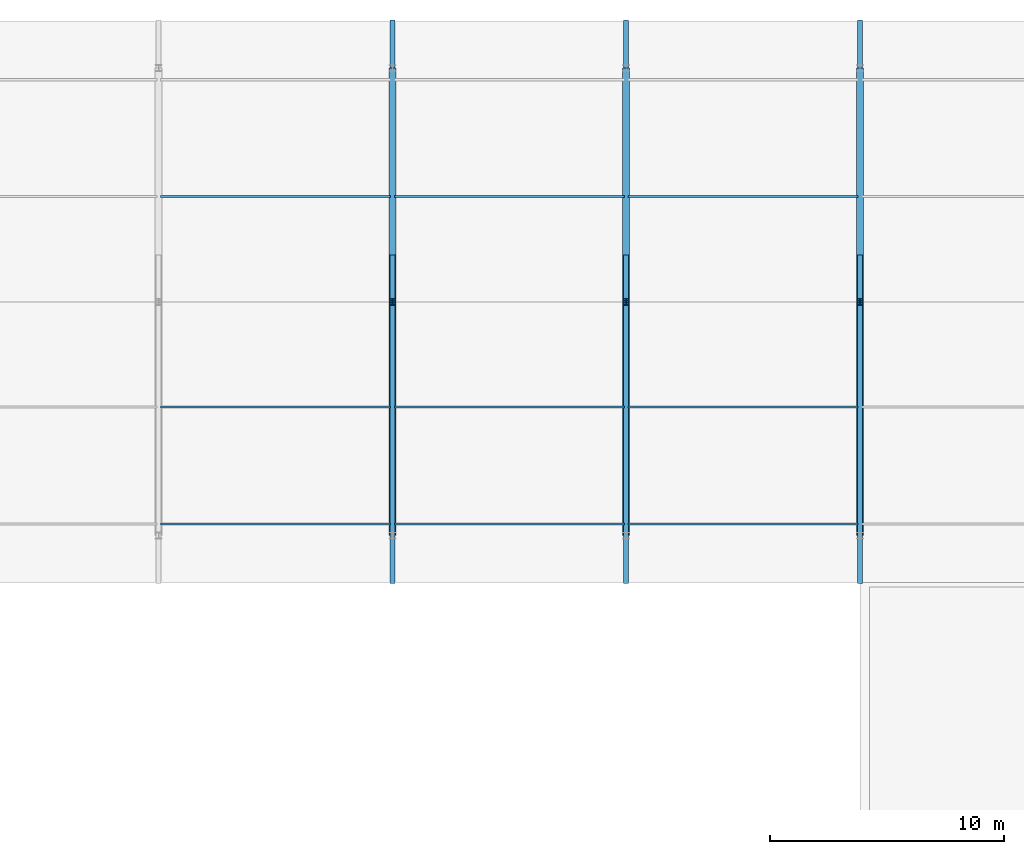
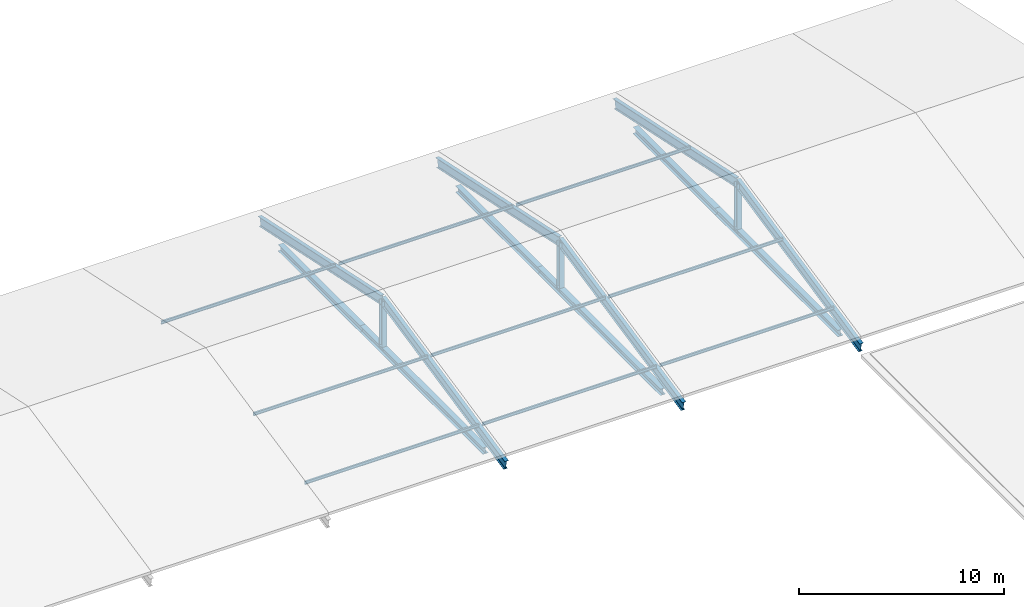
# One storey, part 2 of 10: 12 beams, 12 members.
"""IFC4 building model written with IfcOpenShell, lengths in metres."""

from ifc_helpers import new_model, si_unit, direction, frame, origin, origin_2d, place, context, subcontext, project, spatial, i_section, extrude, material, material_profile, profile_set, type_object, element, save


model = new_model("IFC4")

# Units and contexts
model_context = context("Model", 3, precision=1e-05, world=origin(), true_north=direction((0.0, 1.0)))
body_context = subcontext(model_context, "Body", "Model", "MODEL_VIEW")
ifc_project = project(units=[si_unit("LENGTHUNIT", "METRE"), si_unit("AREAUNIT", "SQUARE_METRE"), si_unit("VOLUMEUNIT", "CUBIC_METRE"), si_unit("PLANEANGLEUNIT", "RADIAN"), si_unit("MASSUNIT", "GRAM", prefix="KILO")], contexts=[model_context])

# Site, building, storey
site_placement = place(None, origin())
site = spatial("IfcSite", under=ifc_project, at=site_placement, CompositionType="ELEMENT")
building_placement = place(site_placement, origin())
building = spatial("IfcBuilding", under=site, at=building_placement, Name="Kivolera Central Railway Station", CompositionType="ELEMENT")
storey_placement = place(building_placement, frame((0.0, 0.0, 31.199951171875)))
storey = spatial("IfcBuildingStorey", under=building, at=storey_placement, Name="Roof", CompositionType="ELEMENT", Elevation=31.199951171875)

# Beams
ifc_material = material(Name="Steel S355", Category="steel")
ifc_material_profile_1 = material_profile(ifc_material, i_section(OverallWidth=0.2099609375, OverallDepth=0.550048828125, WebThickness=0.010986328125, FlangeThickness=0.01708984375, FilletRadius=0.02392578125, at=origin_2d()), Name="IPE 550")
ifc_profile_set_1 = profile_set([ifc_material_profile_1], Name="Steel S355")
beam_type_1 = type_object("IfcBeamType", Name="BM-ROOF-WNG", PredefinedType="BEAM", material=ifc_profile_set_1)
for number, where, z_axis, x_axis, name in (
    (1, (158.0, 112.0, 0.43798828125), (0.0, 0.97814185396, 0.207938725424), (-1.0, 0.0, 0.0), "Wing Monsoon Roof South Rafter 5"),
    (2, (158.0, 124.0, 2.989013671875), (0.0, 0.97814185396, -0.207938725424), (-1.0, 0.0, 0.0), "Wing Monsoon Roof North Rafter 5"),
    (3, (168.0, 112.0, 0.43798828125), (0.0, 0.97814185396, 0.207938725424), (-1.0, 0.0, 0.0), "Wing Monsoon Roof South Rafter 6"),
    (4, (168.0, 124.0, 2.989013671875), (0.0, 0.97814185396, -0.207938725424), (-1.0, 0.0, 0.0), "Wing Monsoon Roof North Rafter 6"),
    (5, (178.0, 112.0, 0.43798828125), (0.0, 0.97814185396, 0.207938725424), (-1.0, 0.0, 0.0), "Wing Monsoon Roof South Rafter 7"),
    (6, (178.0, 124.0, 2.989013671875), (0.0, 0.97814185396, -0.207938725424), (-1.0, 0.0, 0.0), "Wing Monsoon Roof North Rafter 7"),
):
    element("IfcBeam", number, at=place(storey_placement, frame(where, z_axis=z_axis, x_axis=x_axis)), inside=storey, type_object=beam_type_1, Name=name, PredefinedType="BEAM", context=body_context, shape_type="SweptSolid", body=[
        extrude(i_section(OverallWidth=0.2099609375, OverallDepth=0.550048828125, WebThickness=0.010986328125, FlangeThickness=0.01708984375, FilletRadius=0.02392578125, at=origin_2d()), origin(), (0.0, 0.0, 1.0), 12.26806640625),
    ])
ifc_material_profile_2 = material_profile(ifc_material, i_section(OverallWidth=0.300048828125, OverallDepth=0.389892578125, WebThickness=0.010986328125, FlangeThickness=0.01904296875, FilletRadius=0.027099609375, at=origin_2d()), Name="HEA 400")
ifc_profile_set_2 = profile_set([ifc_material_profile_2], Name="Steel S355")
beam_type_2 = type_object("IfcBeamType", Name="BM-SHD-HEA400", PredefinedType="BEAM", material=ifc_profile_set_2)
beam_1_placement = place(storey_placement, frame((158.0, 114.0, 0.090087890625), z_axis=(0.0, 1.0, 0.0), x_axis=(-1.0, 0.0, 0.0)))
element("IfcBeam", 7, at=beam_1_placement, inside=storey, type_object=beam_type_2, Name="Wing Monsoon Roof Tie Beam South 5", PredefinedType="BEAM", context=body_context, shape_type="SweptSolid", body=[
    extrude(i_section(OverallWidth=0.300048828125, OverallDepth=0.389892578125, WebThickness=0.010986328125, FlangeThickness=0.01904296875, FilletRadius=0.027099609375, at=origin_2d()), origin(), (0.0, 0.0, 1.0), 12.0),
])
beam_2_placement = place(storey_placement, frame((158.0, 126.0, 0.090087890625), z_axis=(0.0, 1.0, 0.0), x_axis=(-1.0, 0.0, 0.0)))
element("IfcBeam", 8, at=beam_2_placement, inside=storey, type_object=beam_type_2, Name="Wing Monsoon Roof Tie Beam North 5", PredefinedType="BEAM", context=body_context, shape_type="SweptSolid", body=[
    extrude(i_section(OverallWidth=0.300048828125, OverallDepth=0.389892578125, WebThickness=0.010986328125, FlangeThickness=0.01904296875, FilletRadius=0.027099609375, at=origin_2d()), origin(), (0.0, 0.0, 1.0), 8.0),
])
beam_3_placement = place(storey_placement, frame((168.0, 114.0, 0.090087890625), z_axis=(0.0, 1.0, 0.0), x_axis=(-1.0, 0.0, 0.0)))
element("IfcBeam", 9, at=beam_3_placement, inside=storey, type_object=beam_type_2, Name="Wing Monsoon Roof Tie Beam South 6", PredefinedType="BEAM", context=body_context, shape_type="SweptSolid", body=[
    extrude(i_section(OverallWidth=0.300048828125, OverallDepth=0.389892578125, WebThickness=0.010986328125, FlangeThickness=0.01904296875, FilletRadius=0.027099609375, at=origin_2d()), origin(), (0.0, 0.0, 1.0), 12.0),
])
beam_4_placement = place(storey_placement, frame((168.0, 126.0, 0.090087890625), z_axis=(0.0, 1.0, 0.0), x_axis=(-1.0, 0.0, 0.0)))
element("IfcBeam", 10, at=beam_4_placement, inside=storey, type_object=beam_type_2, Name="Wing Monsoon Roof Tie Beam North 6", PredefinedType="BEAM", context=body_context, shape_type="SweptSolid", body=[
    extrude(i_section(OverallWidth=0.300048828125, OverallDepth=0.389892578125, WebThickness=0.010986328125, FlangeThickness=0.01904296875, FilletRadius=0.027099609375, at=origin_2d()), origin(), (0.0, 0.0, 1.0), 8.0),
])
beam_5_placement = place(storey_placement, frame((178.0, 114.0, 0.090087890625), z_axis=(0.0, 1.0, 0.0), x_axis=(-1.0, 0.0, 0.0)))
element("IfcBeam", 11, at=beam_5_placement, inside=storey, type_object=beam_type_2, Name="Wing Monsoon Roof Tie Beam South 7", PredefinedType="BEAM", context=body_context, shape_type="SweptSolid", body=[
    extrude(i_section(OverallWidth=0.300048828125, OverallDepth=0.389892578125, WebThickness=0.010986328125, FlangeThickness=0.01904296875, FilletRadius=0.027099609375, at=origin_2d()), origin(), (0.0, 0.0, 1.0), 12.0),
])
beam_6_placement = place(storey_placement, frame((178.0, 126.0, 0.090087890625), z_axis=(0.0, 1.0, 0.0), x_axis=(-1.0, 0.0, 0.0)))
element("IfcBeam", 12, at=beam_6_placement, inside=storey, type_object=beam_type_2, Name="Wing Monsoon Roof Tie Beam North 7", PredefinedType="BEAM", context=body_context, shape_type="SweptSolid", body=[
    extrude(i_section(OverallWidth=0.300048828125, OverallDepth=0.389892578125, WebThickness=0.010986328125, FlangeThickness=0.01904296875, FilletRadius=0.027099609375, at=origin_2d()), origin(), (0.0, 0.0, 1.0), 8.0),
])

# Members
ifc_material_profile_3 = material_profile(ifc_material, i_section(OverallWidth=0.091064453125, OverallDepth=0.179931640625, WebThickness=0.00537109375, FlangeThickness=0.008056640625, FilletRadius=0.009033203125, at=origin_2d()), Name="IPE 180")
ifc_profile_set_3 = profile_set([ifc_material_profile_3], Name="Steel S355")
member_type_1 = type_object("IfcMemberType", Name="MEM-PUR-IPE180", PredefinedType="PURLIN", material=ifc_profile_set_3)
for number, where, z_axis, x_axis, name in (
    (13, (148.080078125, 114.5, 1.325927734375), (1.0, 0.0, 0.0), (0.0, 1.0, 0.0), "Wing Monsoon Roof Purlin 4.1"),
    (14, (148.080078125, 119.5, 2.38916015625), (1.0, 0.0, 0.0), (0.0, 1.0, 0.0), "Wing Monsoon Roof Purlin 4.2"),
    (15, (148.080078125, 128.5, 2.38916015625), (1.0, 0.0, 0.0), (0.0, 1.0, 0.0), "Wing Monsoon Roof Purlin 4.3"),
    (16, (158.080078125, 114.5, 1.325927734375), (1.0, 0.0, 0.0), (0.0, 1.0, 0.0), "Wing Monsoon Roof Purlin 5.1"),
    (17, (158.080078125, 119.5, 2.38916015625), (1.0, 0.0, 0.0), (0.0, 1.0, 0.0), "Wing Monsoon Roof Purlin 5.2"),
    (18, (158.080078125, 128.5, 2.38916015625), (1.0, 0.0, 0.0), (0.0, 1.0, 0.0), "Wing Monsoon Roof Purlin 5.3"),
    (19, (168.080078125, 114.5, 1.325927734375), (1.0, 0.0, 0.0), (0.0, 1.0, 0.0), "Wing Monsoon Roof Purlin 6.1"),
    (20, (168.080078125, 119.5, 2.38916015625), (1.0, 0.0, 0.0), (0.0, 1.0, 0.0), "Wing Monsoon Roof Purlin 6.2"),
    (21, (168.080078125, 128.5, 2.38916015625), (1.0, 0.0, 0.0), (0.0, 1.0, 0.0), "Wing Monsoon Roof Purlin 6.3"),
):
    element("IfcMember", number, at=place(storey_placement, frame(where, z_axis=z_axis, x_axis=x_axis)), inside=storey, type_object=member_type_1, Name=name, PredefinedType="PURLIN", context=body_context, shape_type="SweptSolid", body=[
        extrude(i_section(OverallWidth=0.091064453125, OverallDepth=0.179931640625, WebThickness=0.00537109375, FlangeThickness=0.008056640625, FilletRadius=0.009033203125, at=origin_2d()), origin(), (0.0, 0.0, 1.0), 9.83984375),
    ])
ifc_material_profile_4 = material_profile(ifc_material, i_section(OverallWidth=0.280029296875, OverallDepth=0.280029296875, WebThickness=0.010498046875, FlangeThickness=0.01806640625, FilletRadius=0.02392578125, at=origin_2d()), Name="HEB 280")
ifc_profile_set_4 = profile_set([ifc_material_profile_4], Name="Steel S355")
member_type_2 = type_object("IfcMemberType", Name="MEM-RAF-HEB280", PredefinedType="STRUT", material=ifc_profile_set_4)
for number, where, z_axis, x_axis, name in (
    (22, (158.0, 124.0, 0.090087890625), (0.0, 0.0, 1.0), (1.0, 0.0, 0.0), "Roof Monsoon Truss Post 5-R"),
    (23, (168.0, 124.0, 0.090087890625), (0.0, 0.0, 1.0), (1.0, 0.0, 0.0), "Roof Monsoon Truss Post 6-R"),
    (24, (178.0, 124.0, 0.090087890625), (0.0, 0.0, 1.0), (1.0, 0.0, 0.0), "Roof Monsoon Truss Post 7-R"),
):
    element("IfcMember", number, at=place(storey_placement, frame(where, z_axis=z_axis, x_axis=x_axis)), inside=storey, type_object=member_type_2, Name=name, PredefinedType="STRUT", context=body_context, shape_type="SweptSolid", body=[
        extrude(i_section(OverallWidth=0.280029296875, OverallDepth=0.280029296875, WebThickness=0.010498046875, FlangeThickness=0.01806640625, FilletRadius=0.02392578125, at=origin_2d()), origin(), (0.0, 0.0, 1.0), 2.909912109375),
    ])

save(model, "model.ifc")
